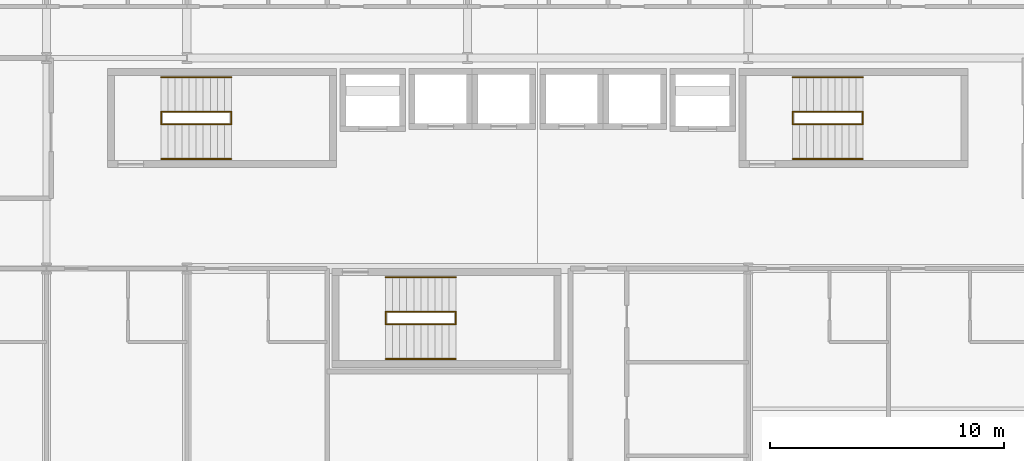
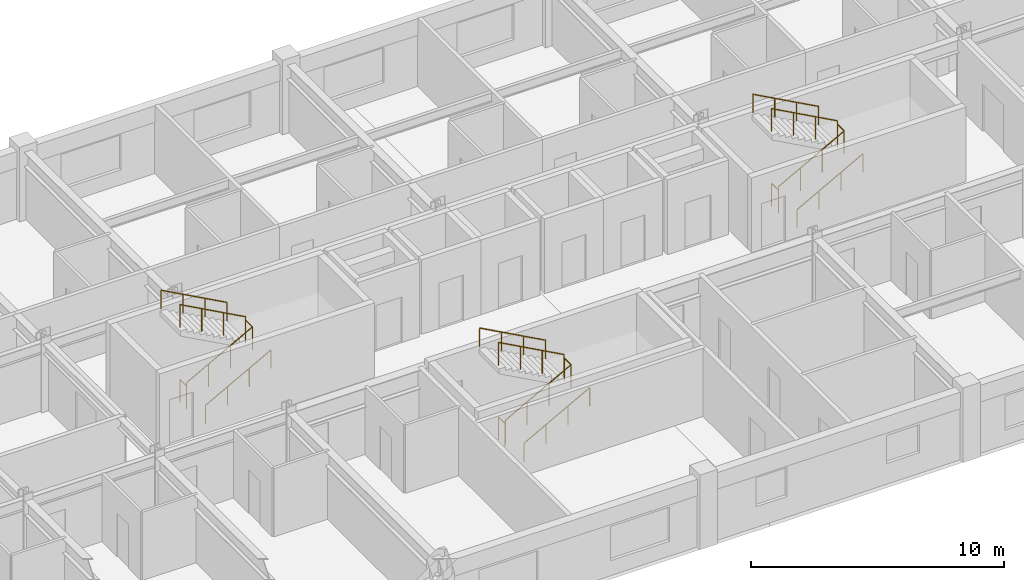
# One storey, part 26 of 26: 18 railings.
"""IFC4 building model written with IfcOpenShell, lengths in metres."""

from ifc_helpers import new_model, si_unit, direction, frame, origin, origin_2d, place, context, subcontext, project, spatial, circle, extrude, material, type_object, element, save


model = new_model("IFC4")

# Units and contexts
model_context = context("Model", 3, precision=1e-05, world=origin(), true_north=direction((0.0, 1.0)))
body_context = subcontext(model_context, "Body", "Model", "MODEL_VIEW")
ifc_project = project(units=[si_unit("LENGTHUNIT", "METRE"), si_unit("AREAUNIT", "SQUARE_METRE"), si_unit("VOLUMEUNIT", "CUBIC_METRE"), si_unit("PLANEANGLEUNIT", "RADIAN"), si_unit("MASSUNIT", "GRAM", prefix="KILO")], contexts=[model_context])

# Site, building, storey
site_placement = place(None, origin())
site = spatial("IfcSite", under=ifc_project, at=site_placement, CompositionType="ELEMENT")
building_placement = place(site_placement, origin())
building = spatial("IfcBuilding", under=site, at=building_placement, Name="Kaldorvane Square Convention Centre", CompositionType="ELEMENT")
storey_placement = place(building_placement, frame((0.0, 0.0, 42.0)))
storey = spatial("IfcBuildingStorey", under=building, at=storey_placement, Name="L09", CompositionType="ELEMENT", Elevation=42.0)

# Railings
ifc_material = material(Name="Architectural Painted Steel", Category="steel")
railing_type_1 = type_object("IfcRailingType", Name="RL-GUARD-1120", PredefinedType="BALUSTRADE", material=ifc_material)
for number, where, name in (
    (1, (40.899993896484375, 102.16999816894531, 0.0), "Tower Exit Stair T1 Floor Well Guard (L09)"),
    (2, (43.899993896484375, 102.16999816894531, 1.8000030517578125), "Tower Exit Stair T1 Half-Landing Guard (L09)"),
):
    element("IfcRailing", number, at=place(storey_placement, frame(where)), inside=storey, type_object=railing_type_1, Name=name, PredefinedType="BALUSTRADE", context=body_context, shape_type="SweptSolid", body=[
        extrude(circle(Radius=0.0240020751953125, at=origin_2d()), frame((0.0, 0.0, 1.0959930419921875), z_axis=(0.0, 1.0, 0.0), x_axis=(-1.0, 0.0, 0.0)), (0.0, 0.0, 1.0), 0.5200042724609375),
        extrude(circle(Radius=0.02099609375, at=origin_2d()), origin(), (0.0, 0.0, 1.0), 1.071990966796875),
        extrude(circle(Radius=0.02099609375, at=origin_2d()), frame((0.0, 0.5200042724609375, 0.0)), (0.0, 0.0, 1.0), 1.071990966796875),
    ])
railing_1_placement = place(storey_placement, frame((40.899993896484375, 102.16000366210938, 0.16363525390625)))
element("IfcRailing", 3, at=railing_1_placement, inside=storey, type_object=railing_type_1, Name="Tower Exit Stair T1 Flight 1 Guard (L09)", PredefinedType="BALUSTRADE", context=body_context, shape_type="SweptSolid", body=[
    extrude(circle(Radius=0.0240020751953125, at=origin_2d()), frame((0.0, 0.0, 1.0959930419921875), z_axis=(0.87789506098, 0.0, 0.478853069227), x_axis=(0.0, 1.0, 0.0)), (0.0, 0.0, 1.0), 3.417266845703125),
    extrude(circle(Radius=0.02099609375, at=origin_2d()), origin(), (0.0, 0.0, 1.0), 1.071990966796875),
    extrude(circle(Radius=0.02099609375, at=origin_2d()), frame((1.0, 0.0, 0.5454559326171875)), (0.0, 0.0, 1.0), 1.071990966796875),
    extrude(circle(Radius=0.02099609375, at=origin_2d()), frame((2.0, 0.0, 1.090911865234375)), (0.0, 0.0, 1.0), 1.071990966796875),
    extrude(circle(Radius=0.02099609375, at=origin_2d()), frame((3.0, 0.0, 1.6363677978515625)), (0.0, 0.0, 1.0), 1.071990966796875),
])
railing_2_placement = place(storey_placement, frame((43.899993896484375, 102.69999694824219, 1.9636383056640625)))
element("IfcRailing", 4, at=railing_2_placement, inside=storey, type_object=railing_type_1, Name="Tower Exit Stair T1 Flight 2 Guard (L09)", PredefinedType="BALUSTRADE", context=body_context, shape_type="SweptSolid", body=[
    extrude(circle(Radius=0.0240020751953125, at=origin_2d()), frame((0.0, 0.0, 1.0959930419921875), z_axis=(-0.87789506098, 0.0, 0.478853069227), x_axis=(0.0, -1.0, 0.0)), (0.0, 0.0, 1.0), 3.417266845703125),
    extrude(circle(Radius=0.02099609375, at=origin_2d()), origin(), (0.0, 0.0, 1.0), 1.071990966796875),
    extrude(circle(Radius=0.02099609375, at=origin_2d()), frame((-1.0, 0.0, 0.5454559326171875)), (0.0, 0.0, 1.0), 1.071990966796875),
    extrude(circle(Radius=0.02099609375, at=origin_2d()), frame((-2.0, 0.0, 1.090911865234375)), (0.0, 0.0, 1.0), 1.071990966796875),
    extrude(circle(Radius=0.02099609375, at=origin_2d()), frame((-3.0, 0.0, 1.6363677978515625)), (0.0, 0.0, 1.0), 1.071990966796875),
])
for number, where, name in (
    (5, (67.89999389648438, 102.16999816894531, 0.0), "Tower Exit Stair T2 Floor Well Guard (L09)"),
    (6, (70.89999389648438, 102.16999816894531, 1.8000030517578125), "Tower Exit Stair T2 Half-Landing Guard (L09)"),
):
    element("IfcRailing", number, at=place(storey_placement, frame(where)), inside=storey, type_object=railing_type_1, Name=name, PredefinedType="BALUSTRADE", context=body_context, shape_type="SweptSolid", body=[
        extrude(circle(Radius=0.0240020751953125, at=origin_2d()), frame((0.0, 0.0, 1.0959930419921875), z_axis=(0.0, 1.0, 0.0), x_axis=(-1.0, 0.0, 0.0)), (0.0, 0.0, 1.0), 0.5200042724609375),
        extrude(circle(Radius=0.02099609375, at=origin_2d()), origin(), (0.0, 0.0, 1.0), 1.071990966796875),
        extrude(circle(Radius=0.02099609375, at=origin_2d()), frame((0.0, 0.5200042724609375, 0.0)), (0.0, 0.0, 1.0), 1.071990966796875),
    ])
railing_3_placement = place(storey_placement, frame((67.89999389648438, 102.16000366210938, 0.16363525390625)))
element("IfcRailing", 7, at=railing_3_placement, inside=storey, type_object=railing_type_1, Name="Tower Exit Stair T2 Flight 1 Guard (L09)", PredefinedType="BALUSTRADE", context=body_context, shape_type="SweptSolid", body=[
    extrude(circle(Radius=0.0240020751953125, at=origin_2d()), frame((0.0, 0.0, 1.0959930419921875), z_axis=(0.87789506098, 0.0, 0.478853069227), x_axis=(0.0, 1.0, 0.0)), (0.0, 0.0, 1.0), 3.417266845703125),
    extrude(circle(Radius=0.02099609375, at=origin_2d()), origin(), (0.0, 0.0, 1.0), 1.071990966796875),
    extrude(circle(Radius=0.02099609375, at=origin_2d()), frame((1.0, 0.0, 0.5454559326171875)), (0.0, 0.0, 1.0), 1.071990966796875),
    extrude(circle(Radius=0.02099609375, at=origin_2d()), frame((2.0, 0.0, 1.090911865234375)), (0.0, 0.0, 1.0), 1.071990966796875),
    extrude(circle(Radius=0.02099609375, at=origin_2d()), frame((3.0, 0.0, 1.6363677978515625)), (0.0, 0.0, 1.0), 1.071990966796875),
])
railing_4_placement = place(storey_placement, frame((70.89999389648438, 102.69999694824219, 1.9636383056640625)))
element("IfcRailing", 8, at=railing_4_placement, inside=storey, type_object=railing_type_1, Name="Tower Exit Stair T2 Flight 2 Guard (L09)", PredefinedType="BALUSTRADE", context=body_context, shape_type="SweptSolid", body=[
    extrude(circle(Radius=0.0240020751953125, at=origin_2d()), frame((0.0, 0.0, 1.0959930419921875), z_axis=(-0.87789506098, 0.0, 0.478853069227), x_axis=(0.0, -1.0, 0.0)), (0.0, 0.0, 1.0), 3.417266845703125),
    extrude(circle(Radius=0.02099609375, at=origin_2d()), origin(), (0.0, 0.0, 1.0), 1.071990966796875),
    extrude(circle(Radius=0.02099609375, at=origin_2d()), frame((-1.0, 0.0, 0.5454559326171875)), (0.0, 0.0, 1.0), 1.071990966796875),
    extrude(circle(Radius=0.02099609375, at=origin_2d()), frame((-2.0, 0.0, 1.090911865234375)), (0.0, 0.0, 1.0), 1.071990966796875),
    extrude(circle(Radius=0.02099609375, at=origin_2d()), frame((-3.0, 0.0, 1.6363677978515625)), (0.0, 0.0, 1.0), 1.071990966796875),
])
for number, where, name in (
    (9, (50.5, 93.6199951171875, 0.0), "Tower Exit Stair T3 Floor Well Guard (L09)"),
    (10, (53.5, 93.6199951171875, 1.8000030517578125), "Tower Exit Stair T3 Half-Landing Guard (L09)"),
):
    element("IfcRailing", number, at=place(storey_placement, frame(where)), inside=storey, type_object=railing_type_1, Name=name, PredefinedType="BALUSTRADE", context=body_context, shape_type="SweptSolid", body=[
        extrude(circle(Radius=0.0240020751953125, at=origin_2d()), frame((0.0, 0.0, 1.0959930419921875), z_axis=(0.0, 1.0, 0.0), x_axis=(-1.0, 0.0, 0.0)), (0.0, 0.0, 1.0), 0.5200042724609375),
        extrude(circle(Radius=0.02099609375, at=origin_2d()), origin(), (0.0, 0.0, 1.0), 1.071990966796875),
        extrude(circle(Radius=0.02099609375, at=origin_2d()), frame((0.0, 0.5200042724609375, 0.0)), (0.0, 0.0, 1.0), 1.071990966796875),
    ])
railing_5_placement = place(storey_placement, frame((50.5, 93.61000061035156, 0.16363525390625)))
element("IfcRailing", 11, at=railing_5_placement, inside=storey, type_object=railing_type_1, Name="Tower Exit Stair T3 Flight 1 Guard (L09)", PredefinedType="BALUSTRADE", context=body_context, shape_type="SweptSolid", body=[
    extrude(circle(Radius=0.0240020751953125, at=origin_2d()), frame((0.0, 0.0, 1.0959930419921875), z_axis=(0.87789506098, 0.0, 0.478853069227), x_axis=(0.0, 1.0, 0.0)), (0.0, 0.0, 1.0), 3.417266845703125),
    extrude(circle(Radius=0.02099609375, at=origin_2d()), origin(), (0.0, 0.0, 1.0), 1.071990966796875),
    extrude(circle(Radius=0.02099609375, at=origin_2d()), frame((1.0, 0.0, 0.5454559326171875)), (0.0, 0.0, 1.0), 1.071990966796875),
    extrude(circle(Radius=0.02099609375, at=origin_2d()), frame((2.0, 0.0, 1.090911865234375)), (0.0, 0.0, 1.0), 1.071990966796875),
    extrude(circle(Radius=0.02099609375, at=origin_2d()), frame((3.0, 0.0, 1.6363677978515625)), (0.0, 0.0, 1.0), 1.071990966796875),
])
railing_6_placement = place(storey_placement, frame((53.5, 94.14999389648438, 1.9636383056640625)))
element("IfcRailing", 12, at=railing_6_placement, inside=storey, type_object=railing_type_1, Name="Tower Exit Stair T3 Flight 2 Guard (L09)", PredefinedType="BALUSTRADE", context=body_context, shape_type="SweptSolid", body=[
    extrude(circle(Radius=0.0240020751953125, at=origin_2d()), frame((0.0, 0.0, 1.0959930419921875), z_axis=(-0.87789506098, 0.0, 0.478853069227), x_axis=(0.0, -1.0, 0.0)), (0.0, 0.0, 1.0), 3.417266845703125),
    extrude(circle(Radius=0.02099609375, at=origin_2d()), origin(), (0.0, 0.0, 1.0), 1.071990966796875),
    extrude(circle(Radius=0.02099609375, at=origin_2d()), frame((-1.0, 0.0, 0.5454559326171875)), (0.0, 0.0, 1.0), 1.071990966796875),
    extrude(circle(Radius=0.02099609375, at=origin_2d()), frame((-2.0, 0.0, 1.090911865234375)), (0.0, 0.0, 1.0), 1.071990966796875),
    extrude(circle(Radius=0.02099609375, at=origin_2d()), frame((-3.0, 0.0, 1.6363677978515625)), (0.0, 0.0, 1.0), 1.071990966796875),
])
railing_type_2 = type_object("IfcRailingType", Name="RL-HAND-915", PredefinedType="HANDRAIL", material=ifc_material)
railing_7_placement = place(storey_placement, frame((40.899993896484375, 100.67999267578125, 0.16363525390625)))
element("IfcRailing", 13, at=railing_7_placement, inside=storey, type_object=railing_type_2, Name="Tower Exit Stair T1 Wall Handrail 1 (L09)", PredefinedType="HANDRAIL", context=body_context, shape_type="SweptSolid", body=[
    extrude(circle(Radius=0.0240020751953125, at=origin_2d()), frame((0.0, 0.0, 0.8909912109375), z_axis=(0.87789506098, 0.0, 0.478853069227), x_axis=(0.0, 1.0, 0.0)), (0.0, 0.0, 1.0), 3.417266845703125),
    extrude(circle(Radius=0.02099609375, at=origin_2d()), origin(), (0.0, 0.0, 1.0), 0.8669891357421875),
    extrude(circle(Radius=0.02099609375, at=origin_2d()), frame((1.0, 0.0, 0.5454559326171875)), (0.0, 0.0, 1.0), 0.8669891357421875),
    extrude(circle(Radius=0.02099609375, at=origin_2d()), frame((2.0, 0.0, 1.090911865234375)), (0.0, 0.0, 1.0), 0.8669891357421875),
    extrude(circle(Radius=0.02099609375, at=origin_2d()), frame((3.0, 0.0, 1.6363677978515625)), (0.0, 0.0, 1.0), 0.8669891357421875),
])
railing_8_placement = place(storey_placement, frame((43.899993896484375, 104.17999267578125, 1.9636383056640625)))
element("IfcRailing", 14, at=railing_8_placement, inside=storey, type_object=railing_type_2, Name="Tower Exit Stair T1 Wall Handrail 2 (L09)", PredefinedType="HANDRAIL", context=body_context, shape_type="SweptSolid", body=[
    extrude(circle(Radius=0.0240020751953125, at=origin_2d()), frame((0.0, 0.0, 0.8909912109375), z_axis=(-0.87789506098, 0.0, 0.478853069227), x_axis=(0.0, -1.0, 0.0)), (0.0, 0.0, 1.0), 3.417266845703125),
    extrude(circle(Radius=0.02099609375, at=origin_2d()), origin(), (0.0, 0.0, 1.0), 0.8669891357421875),
    extrude(circle(Radius=0.02099609375, at=origin_2d()), frame((-1.0, 0.0, 0.5454559326171875)), (0.0, 0.0, 1.0), 0.8669891357421875),
    extrude(circle(Radius=0.02099609375, at=origin_2d()), frame((-2.0, 0.0, 1.090911865234375)), (0.0, 0.0, 1.0), 0.8669891357421875),
    extrude(circle(Radius=0.02099609375, at=origin_2d()), frame((-3.0, 0.0, 1.6363677978515625)), (0.0, 0.0, 1.0), 0.8669891357421875),
])
railing_9_placement = place(storey_placement, frame((67.89999389648438, 100.67999267578125, 0.16363525390625)))
element("IfcRailing", 15, at=railing_9_placement, inside=storey, type_object=railing_type_2, Name="Tower Exit Stair T2 Wall Handrail 1 (L09)", PredefinedType="HANDRAIL", context=body_context, shape_type="SweptSolid", body=[
    extrude(circle(Radius=0.0240020751953125, at=origin_2d()), frame((0.0, 0.0, 0.8909912109375), z_axis=(0.87789506098, 0.0, 0.478853069227), x_axis=(0.0, 1.0, 0.0)), (0.0, 0.0, 1.0), 3.417266845703125),
    extrude(circle(Radius=0.02099609375, at=origin_2d()), origin(), (0.0, 0.0, 1.0), 0.8669891357421875),
    extrude(circle(Radius=0.02099609375, at=origin_2d()), frame((1.0, 0.0, 0.5454559326171875)), (0.0, 0.0, 1.0), 0.8669891357421875),
    extrude(circle(Radius=0.02099609375, at=origin_2d()), frame((2.0, 0.0, 1.090911865234375)), (0.0, 0.0, 1.0), 0.8669891357421875),
    extrude(circle(Radius=0.02099609375, at=origin_2d()), frame((3.0, 0.0, 1.6363677978515625)), (0.0, 0.0, 1.0), 0.8669891357421875),
])
railing_10_placement = place(storey_placement, frame((70.89999389648438, 104.17999267578125, 1.9636383056640625)))
element("IfcRailing", 16, at=railing_10_placement, inside=storey, type_object=railing_type_2, Name="Tower Exit Stair T2 Wall Handrail 2 (L09)", PredefinedType="HANDRAIL", context=body_context, shape_type="SweptSolid", body=[
    extrude(circle(Radius=0.0240020751953125, at=origin_2d()), frame((0.0, 0.0, 0.8909912109375), z_axis=(-0.87789506098, 0.0, 0.478853069227), x_axis=(0.0, -1.0, 0.0)), (0.0, 0.0, 1.0), 3.417266845703125),
    extrude(circle(Radius=0.02099609375, at=origin_2d()), origin(), (0.0, 0.0, 1.0), 0.8669891357421875),
    extrude(circle(Radius=0.02099609375, at=origin_2d()), frame((-1.0, 0.0, 0.5454559326171875)), (0.0, 0.0, 1.0), 0.8669891357421875),
    extrude(circle(Radius=0.02099609375, at=origin_2d()), frame((-2.0, 0.0, 1.090911865234375)), (0.0, 0.0, 1.0), 0.8669891357421875),
    extrude(circle(Radius=0.02099609375, at=origin_2d()), frame((-3.0, 0.0, 1.6363677978515625)), (0.0, 0.0, 1.0), 0.8669891357421875),
])
railing_11_placement = place(storey_placement, frame((50.5, 92.1300048828125, 0.16363525390625)))
element("IfcRailing", 17, at=railing_11_placement, inside=storey, type_object=railing_type_2, Name="Tower Exit Stair T3 Wall Handrail 1 (L09)", PredefinedType="HANDRAIL", context=body_context, shape_type="SweptSolid", body=[
    extrude(circle(Radius=0.0240020751953125, at=origin_2d()), frame((0.0, 0.0, 0.8909912109375), z_axis=(0.87789506098, 0.0, 0.478853069227), x_axis=(0.0, 1.0, 0.0)), (0.0, 0.0, 1.0), 3.417266845703125),
    extrude(circle(Radius=0.02099609375, at=origin_2d()), origin(), (0.0, 0.0, 1.0), 0.8669891357421875),
    extrude(circle(Radius=0.02099609375, at=origin_2d()), frame((1.0, 0.0, 0.5454559326171875)), (0.0, 0.0, 1.0), 0.8669891357421875),
    extrude(circle(Radius=0.02099609375, at=origin_2d()), frame((2.0, 0.0, 1.090911865234375)), (0.0, 0.0, 1.0), 0.8669891357421875),
    extrude(circle(Radius=0.02099609375, at=origin_2d()), frame((3.0, 0.0, 1.6363677978515625)), (0.0, 0.0, 1.0), 0.8669891357421875),
])
railing_12_placement = place(storey_placement, frame((53.5, 95.6300048828125, 1.9636383056640625)))
element("IfcRailing", 18, at=railing_12_placement, inside=storey, type_object=railing_type_2, Name="Tower Exit Stair T3 Wall Handrail 2 (L09)", PredefinedType="HANDRAIL", context=body_context, shape_type="SweptSolid", body=[
    extrude(circle(Radius=0.0240020751953125, at=origin_2d()), frame((0.0, 0.0, 0.8909912109375), z_axis=(-0.87789506098, 0.0, 0.478853069227), x_axis=(0.0, -1.0, 0.0)), (0.0, 0.0, 1.0), 3.417266845703125),
    extrude(circle(Radius=0.02099609375, at=origin_2d()), origin(), (0.0, 0.0, 1.0), 0.8669891357421875),
    extrude(circle(Radius=0.02099609375, at=origin_2d()), frame((-1.0, 0.0, 0.5454559326171875)), (0.0, 0.0, 1.0), 0.8669891357421875),
    extrude(circle(Radius=0.02099609375, at=origin_2d()), frame((-2.0, 0.0, 1.090911865234375)), (0.0, 0.0, 1.0), 0.8669891357421875),
    extrude(circle(Radius=0.02099609375, at=origin_2d()), frame((-3.0, 0.0, 1.6363677978515625)), (0.0, 0.0, 1.0), 0.8669891357421875),
])

save(model, "model.ifc")
